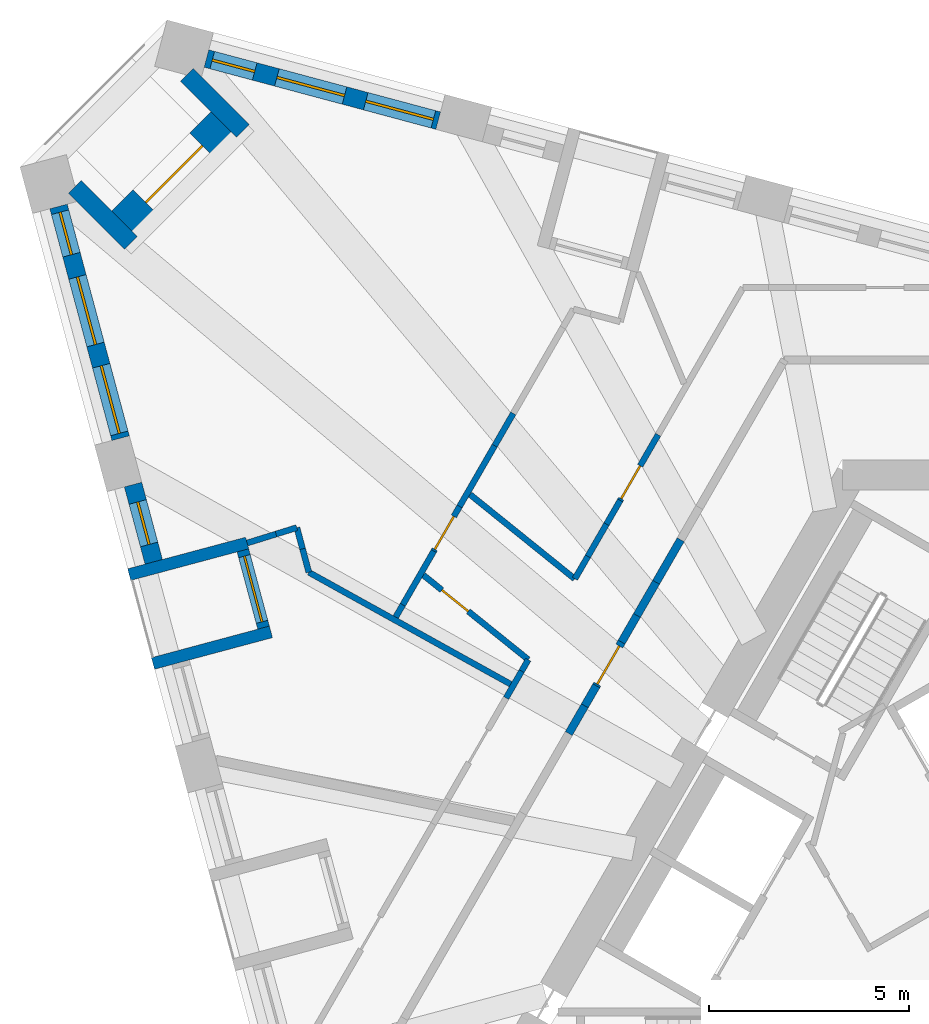
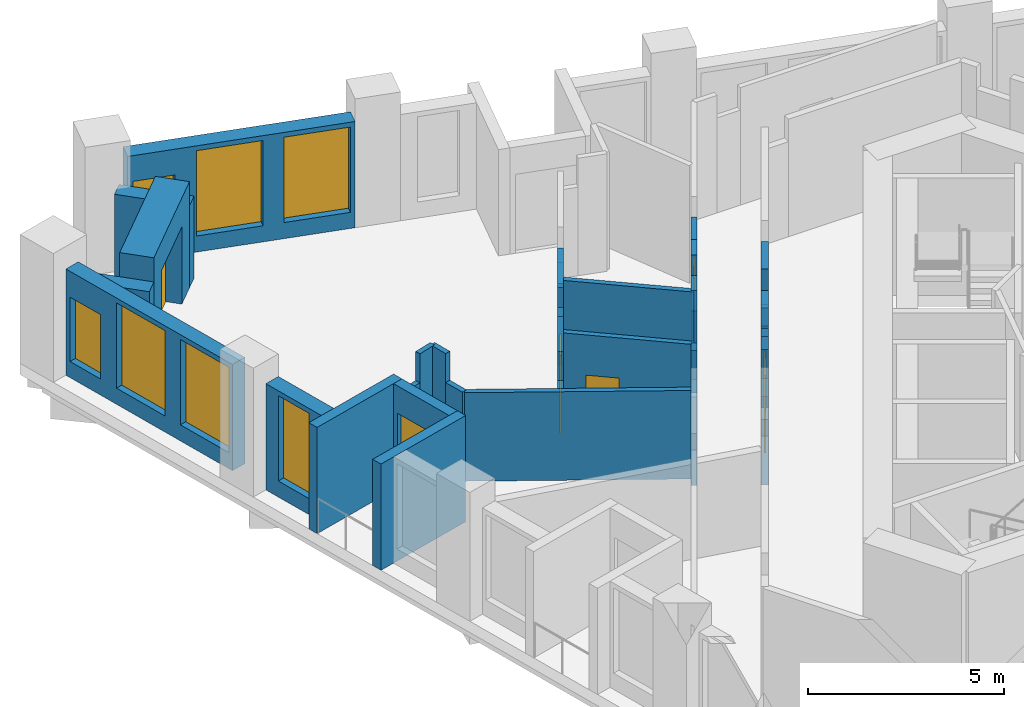
# One storey, part 6 of 13: 33 walls, 7 windows, 6 doors, 13 openings.
"""IFC4 building model written with IfcOpenShell, lengths in metres."""

from ifc_helpers import new_model, si_unit, direction, frame, frame_2d, origin, place, context, subcontext, project, spatial, polyline, rectangle, outline, extrude, material, layer, layer_set, type_object, element, fill, save


model = new_model("IFC4")

# Units and contexts
model_context = context("Model", 3, precision=1e-05, world=origin(), true_north=direction((0.0, 1.0)))
body_context = subcontext(model_context, "Body", "Model", "MODEL_VIEW")
ifc_project = project(units=[si_unit("LENGTHUNIT", "METRE"), si_unit("AREAUNIT", "SQUARE_METRE"), si_unit("VOLUMEUNIT", "CUBIC_METRE"), si_unit("PLANEANGLEUNIT", "RADIAN"), si_unit("MASSUNIT", "GRAM", prefix="KILO")], contexts=[model_context])

# Site, building, storey
site_placement = place(None, origin())
site = spatial("IfcSite", under=ifc_project, at=site_placement, CompositionType="ELEMENT")
building_placement = place(site_placement, origin())
building = spatial("IfcBuilding", under=site, at=building_placement, Name="Tramontana Tower", CompositionType="ELEMENT")
storey_placement = place(building_placement, frame((0.0, 0.0, 224.0)))
storey = spatial("IfcBuildingStorey", under=building, at=storey_placement, Name="L52", CompositionType="ELEMENT", Elevation=224.0)

# Walls
ifc_material_1 = material(Name="Blockwork", Category="masonry")
ifc_layer_1 = layer(ifc_material_1, 0.199951171875)
ifc_layer_set_1 = layer_set([ifc_layer_1], Name="ENTRY WALL 200")
wall_type_1 = type_object("IfcWallType", Name="ENTRY WALL 200", PredefinedType="SOLIDWALL", material=ifc_layer_set_1)
wall_1_placement = place(storey_placement, frame((-8.2783203125, 4.16162109375, 0.0), z_axis=(0.0, 0.0, 1.0), x_axis=(0.500109828528, 0.865961984968, 0.0)))
element("IfcWall", 1, at=wall_1_placement, inside=storey, type_object=wall_type_1, Name="Wall v52-ew4-5", PredefinedType="SOLIDWALL", context=body_context, shape_type="SweptSolid", body=[
    extrude(rectangle(XDim=0.800048828125, YDim=0.199951171875, at=frame_2d((0.39990234375, 0.0))), origin(), (0.0, 0.0, 1.0), 2.75),
])
wall_2_placement = place(storey_placement, frame((-7.878173828125, 4.8544921875, 0.0), z_axis=(0.0, 0.0, 1.0), x_axis=(0.499783563124, 0.866150327617, 0.0)))
element("IfcWall", 2, at=wall_2_placement, inside=storey, type_object=wall_type_1, Name="Wall v52-ew4-6", PredefinedType="SOLIDWALL", context=body_context, shape_type="SweptSolid", body=[
    extrude(rectangle(XDim=0.576416015625, YDim=0.199951171875, at=frame_2d((0.2880859375, 0.0))), origin(), (0.0, 0.0, 1.0), 3.64990234375),
])

# Wall, opening, door
wall_3_placement = place(storey_placement, frame((-7.590087890625, 5.353759765625, 0.0), z_axis=(0.0, 0.0, 1.0), x_axis=(0.50013570633, 0.86594703952, 0.0)))
wall_3 = element("IfcWall", 3, at=wall_3_placement, inside=storey, type_object=wall_type_1, Name="Wall v52-ew4-7", PredefinedType="SOLIDWALL", context=body_context, shape_type="SweptSolid", body=[
    extrude(outline(polyline([(0.0, 0.0), (1.261474609375, 0.0), (1.261474609375, 2.550048828125), (0.347412109375, 2.550048828125), (0.347412109375, 3.64990234375), (0.0, 3.64990234375), (0.0, 0.0)])), frame((0.0, 0.10009765625, 0.0), z_axis=(0.0, -1.0, 0.0), x_axis=(1.0, 0.0, 0.0)), (0.0, 0.0, 1.0), 0.199951171875),
])
opening_1_placement = place(wall_3_placement, frame((0.050048828125, 0.0, 0.0)))
opening_1 = element("IfcOpeningElement", 4, at=opening_1_placement, cuts=wall_3, Name="Opening B5C-17", PredefinedType="OPENING", context=body_context, shape_type="SweptSolid", body=[
    extrude(rectangle(XDim=1.10009765625, YDim=2.39990234375, at=frame_2d((0.550048828125, 1.199951171875))), frame((0.0, 0.10986328125, 0.0), z_axis=(0.0, -1.0, 0.0), x_axis=(1.0, 0.0, 0.0)), (0.0, 0.0, 1.0), 0.219970703125),
])
ifc_material_2 = material(Name="Painted timber", Category="wood")
door_type_1 = type_object("IfcDoorType", Name="DOOR ENTRY 1100", OperationType="SINGLE_SWING_LEFT", PredefinedType="DOOR", material=ifc_material_2)
door_1_placement = place(opening_1_placement, origin())
door_1 = element("IfcDoor", 5, at=door_1_placement, inside=storey, type_object=door_type_1, Name="Door B5C-17", OperationType="SINGLE_SWING_LEFT", OverallHeight=2.39990234375, OverallWidth=1.10009765625, PredefinedType="DOOR", context=body_context, shape_type="SweptSolid", body=[
    extrude(rectangle(XDim=1.10009765625, YDim=2.39990234375, at=frame_2d((0.550048828125, 1.199951171875))), frame((0.0, 0.02490234375, 0.0), z_axis=(0.0, -1.0, 0.0), x_axis=(1.0, 0.0, 0.0)), (0.0, 0.0, 1.0), 0.050048828125),
])
fill(opening_1, door_1)

# Walls
wall_4_placement = place(storey_placement, frame((-6.959228515625, 6.446044921875, 0.0), z_axis=(0.0, 0.0, 1.0), x_axis=(0.499997253739, 0.866026989333, 0.0)))
element("IfcWall", 6, at=wall_4_placement, inside=storey, type_object=wall_type_1, Name="Wall v52-ew4-8", PredefinedType="SOLIDWALL", context=body_context, shape_type="SweptSolid", body=[
    extrude(rectangle(XDim=0.76904296875, YDim=0.199951171875, at=frame_2d((0.384521484375, 0.0))), origin(), (0.0, 0.0, 1.0), 3.64990234375),
])
wall_5_placement = place(storey_placement, frame((-6.57470703125, 7.112060546875, 0.0), z_axis=(0.0, 0.0, 1.0), x_axis=(0.499869636591, 0.866100656052, 0.0)))
element("IfcWall", 7, at=wall_5_placement, inside=storey, type_object=wall_type_1, Name="Wall v52-ew4-9", PredefinedType="SOLIDWALL", context=body_context, shape_type="SweptSolid", body=[
    extrude(rectangle(XDim=0.957275390625, YDim=0.199951171875, at=frame_2d((0.478515625, 0.0))), origin(), (0.0, 0.0, 1.0), 2.550048828125),
])
wall_6_placement = place(storey_placement, frame((-6.09619140625, 7.941162109375, 0.0), z_axis=(0.0, 0.0, 1.0), x_axis=(0.500055461028, 0.865993380977, 0.0)))
element("IfcWall", 8, at=wall_6_placement, inside=storey, type_object=wall_type_1, Name="Wall v52-ew4-10", PredefinedType="SOLIDWALL", context=body_context, shape_type="SweptSolid", body=[
    extrude(rectangle(XDim=1.226806640625, YDim=0.199951171875, at=frame_2d((0.61328125, 0.0))), origin(), (0.0, 0.0, 1.0), 3.64990234375),
])

# Wall, openings, windows
ifc_material_3 = material(Name="Precast concrete 60 MPa", Category="concrete")
ifc_layer_2 = layer(ifc_material_3, 0.449951171875)
ifc_layer_set_2 = layer_set([ifc_layer_2], Name="Precast concrete 60 MPa, 450 mm")
wall_type_2 = type_object("IfcWallType", Name="EW1 Stone-faced precast wall 450", PredefinedType="SOLIDWALL", material=ifc_layer_set_2)
wall_7_placement = place(storey_placement, frame((-21.027099609375, 17.3310546875, 0.0), z_axis=(0.0, 0.0, 1.0), x_axis=(0.258831089404, -0.965922598948, 0.0)))
wall_7 = element("IfcWall", 9, at=wall_7_placement, inside=storey, type_object=wall_type_2, Name="External wall L52 face 0 bay 1", PredefinedType="SOLIDWALL", context=body_context, shape_type="SweptSolid", body=[
    extrude(rectangle(XDim=5.994384765625, YDim=0.449951171875, at=frame_2d((2.9970703125, 0.0))), origin(), (0.0, 0.0, 1.0), 3.300048828125),
])
opening_2_placement = place(wall_7_placement, frame((0.14892578125, 0.0, 0.5)))
opening_2 = element("IfcOpeningElement", 10, at=opening_2_placement, cuts=wall_7, Name="Opening N2L", PredefinedType="OPENING", context=body_context, shape_type="SweptSolid", body=[
    extrude(rectangle(XDim=1.10009765625, YDim=2.0, at=frame_2d((0.550048828125, 1.0))), frame((0.0, 0.23486328125, 0.0), z_axis=(0.0, -1.0, 0.0), x_axis=(1.0, 0.0, 0.0)), (0.0, 0.0, 1.0), 0.469970703125),
])
opening_3_placement = place(wall_7_placement, frame((1.822021484375, 0.0, 0.5)))
opening_3 = element("IfcOpeningElement", 11, at=opening_3_placement, cuts=wall_7, Name="Opening M2", PredefinedType="OPENING", context=body_context, shape_type="SweptSolid", body=[
    extrude(rectangle(XDim=1.75, YDim=2.64990234375, at=frame_2d((0.875, 1.324951171875))), frame((0.0, 0.23486328125, 0.0), z_axis=(0.0, -1.0, 0.0), x_axis=(1.0, 0.0, 0.0)), (0.0, 0.0, 1.0), 0.469970703125),
])
opening_4_placement = place(wall_7_placement, frame((4.1201171875, 0.0, 0.5)))
opening_4 = element("IfcOpeningElement", 12, at=opening_4_placement, cuts=wall_7, Name="Opening M2", PredefinedType="OPENING", context=body_context, shape_type="SweptSolid", body=[
    extrude(rectangle(XDim=1.75, YDim=2.64990234375, at=frame_2d((0.875, 1.324951171875))), frame((0.0, 0.23486328125, 0.0), z_axis=(0.0, -1.0, 0.0), x_axis=(1.0, 0.0, 0.0)), (0.0, 0.0, 1.0), 0.469970703125),
])
ifc_material_4 = material(Name="Aluminum frame, double glazing unit", Category="aluminium")
window_type_1 = type_object("IfcWindowType", Name="M2 Window 1.75 x 2.65", PartitioningType="SINGLE_PANEL", PredefinedType="WINDOW", material=ifc_material_4)
window_1_placement = place(opening_3_placement, origin())
window_1 = element("IfcWindow", 13, at=window_1_placement, inside=storey, type_object=window_type_1, Name="Window M2 L52 face 0 module 2", OverallHeight=2.64990234375, OverallWidth=1.75, PartitioningType="SINGLE_PANEL", PredefinedType="WINDOW", context=body_context, shape_type="SweptSolid", body=[
    extrude(rectangle(XDim=1.75, YDim=2.64990234375, at=frame_2d((0.875, 1.324951171875))), frame((0.0, 0.030029296875, 0.0), z_axis=(0.0, -1.0, 0.0), x_axis=(1.0, 0.0, 0.0)), (0.0, 0.0, 1.0), 0.06005859375),
])
fill(opening_3, window_1)
window_2_placement = place(opening_4_placement, origin())
window_2 = element("IfcWindow", 14, at=window_2_placement, inside=storey, type_object=window_type_1, Name="Window M2 L52 face 0 module 3", OverallHeight=2.64990234375, OverallWidth=1.75, PartitioningType="SINGLE_PANEL", PredefinedType="WINDOW", context=body_context, shape_type="SweptSolid", body=[
    extrude(rectangle(XDim=1.75, YDim=2.64990234375, at=frame_2d((0.875, 1.324951171875))), frame((0.0, 0.030029296875, 0.0), z_axis=(0.0, -1.0, 0.0), x_axis=(1.0, 0.0, 0.0)), (0.0, 0.0, 1.0), 0.06005859375),
])
fill(opening_4, window_2)
ifc_material_5 = material(Name="Aluminum frame, double glazing unit", Category="aluminium")
window_type_2 = type_object("IfcWindowType", Name="N2L Window 1.1 x 2", PartitioningType="SINGLE_PANEL", PredefinedType="WINDOW", material=ifc_material_5)
window_3_placement = place(opening_2_placement, origin())
window_3 = element("IfcWindow", 15, at=window_3_placement, inside=storey, type_object=window_type_2, Name="Window N2L L52 face 0 module 1", OverallHeight=2.0, OverallWidth=1.10009765625, PartitioningType="SINGLE_PANEL", PredefinedType="WINDOW", context=body_context, shape_type="SweptSolid", body=[
    extrude(rectangle(XDim=1.10009765625, YDim=2.0, at=frame_2d((0.550048828125, 1.0))), frame((0.0, 0.030029296875, 0.0), z_axis=(0.0, -1.0, 0.0), x_axis=(1.0, 0.0, 0.0)), (0.0, 0.0, 1.0), 0.06005859375),
])
fill(opening_2, window_3)

# Wall, opening, window
wall_8_placement = place(storey_placement, frame((-19.1650390625, 10.3818359375, 0.0), z_axis=(0.0, 0.0, 1.0), x_axis=(0.258803270362, -0.96593005298, 0.0)))
wall_8 = element("IfcWall", 16, at=wall_8_placement, inside=storey, type_object=wall_type_2, Name="External wall L52 face 0 bay 2", PredefinedType="SOLIDWALL", context=body_context, shape_type="SweptSolid", body=[
    extrude(rectangle(XDim=1.998046875, YDim=0.449951171875, at=frame_2d((0.9990234375, 0.0))), origin(), (0.0, 0.0, 1.0), 3.300048828125),
])
opening_5_placement = place(wall_8_placement, frame((0.448974609375, 0.0, 0.5)))
opening_5 = element("IfcOpeningElement", 17, at=opening_5_placement, cuts=wall_8, Name="Opening N2", PredefinedType="OPENING", context=body_context, shape_type="SweptSolid", body=[
    extrude(rectangle(XDim=1.10009765625, YDim=2.64990234375, at=frame_2d((0.550048828125, 1.324951171875))), frame((0.0, 0.23486328125, 0.0), z_axis=(0.0, -1.0, 0.0), x_axis=(1.0, 0.0, 0.0)), (0.0, 0.0, 1.0), 0.469970703125),
])
ifc_material_6 = material(Name="Aluminum frame, double glazing unit", Category="aluminium")
window_type_3 = type_object("IfcWindowType", Name="N2 Window 1.1 x 2.65", PartitioningType="SINGLE_PANEL", PredefinedType="WINDOW", material=ifc_material_6)
window_4_placement = place(opening_5_placement, origin())
window_4 = element("IfcWindow", 18, at=window_4_placement, inside=storey, type_object=window_type_3, Name="Window N2 L52 face 0 module 4", OverallHeight=2.64990234375, OverallWidth=1.10009765625, PartitioningType="SINGLE_PANEL", PredefinedType="WINDOW", context=body_context, shape_type="SweptSolid", body=[
    extrude(rectangle(XDim=1.10009765625, YDim=2.64990234375, at=frame_2d((0.550048828125, 1.324951171875))), frame((0.0, 0.030029296875, 0.0), z_axis=(0.0, -1.0, 0.0), x_axis=(1.0, 0.0, 0.0)), (0.0, 0.0, 1.0), 0.06005859375),
])
fill(opening_5, window_4)

# Wall, openings, windows
wall_9_placement = place(storey_placement, frame((-11.541015625, 19.4755859375, 0.0), z_axis=(0.0, 0.0, 1.0), x_axis=(-0.965922598948, 0.258831089404, 0.0)))
wall_9 = element("IfcWall", 19, at=wall_9_placement, inside=storey, type_object=wall_type_2, Name="External wall L52 face 2 bay 6", PredefinedType="SOLIDWALL", context=body_context, shape_type="SweptSolid", body=[
    extrude(rectangle(XDim=5.994384765625, YDim=0.449951171875, at=frame_2d((2.9970703125, 0.0))), origin(), (0.0, 0.0, 1.0), 3.300048828125),
])
opening_6_placement = place(wall_9_placement, frame((0.1240234375, 0.0, 0.5)))
opening_6 = element("IfcOpeningElement", 20, at=opening_6_placement, cuts=wall_9, Name="Opening M2", PredefinedType="OPENING", context=body_context, shape_type="SweptSolid", body=[
    extrude(rectangle(XDim=1.75, YDim=2.64990234375, at=frame_2d((0.875, 1.324951171875))), frame((0.0, 0.23486328125, 0.0), z_axis=(0.0, -1.0, 0.0), x_axis=(1.0, 0.0, 0.0)), (0.0, 0.0, 1.0), 0.469970703125),
])
opening_7_placement = place(wall_9_placement, frame((2.422119140625, 0.0, 0.5)))
opening_7 = element("IfcOpeningElement", 21, at=opening_7_placement, cuts=wall_9, Name="Opening M2", PredefinedType="OPENING", context=body_context, shape_type="SweptSolid", body=[
    extrude(rectangle(XDim=1.75, YDim=2.64990234375, at=frame_2d((0.875, 1.324951171875))), frame((0.0, 0.23486328125, 0.0), z_axis=(0.0, -1.0, 0.0), x_axis=(1.0, 0.0, 0.0)), (0.0, 0.0, 1.0), 0.469970703125),
])
opening_8_placement = place(wall_9_placement, frame((4.7451171875, 0.0, 0.5)))
opening_8 = element("IfcOpeningElement", 22, at=opening_8_placement, cuts=wall_9, Name="Opening N2L", PredefinedType="OPENING", context=body_context, shape_type="SweptSolid", body=[
    extrude(rectangle(XDim=1.10009765625, YDim=2.0, at=frame_2d((0.550048828125, 1.0))), frame((0.0, 0.23486328125, 0.0), z_axis=(0.0, -1.0, 0.0), x_axis=(1.0, 0.0, 0.0)), (0.0, 0.0, 1.0), 0.469970703125),
])
window_5_placement = place(opening_6_placement, origin())
window_5 = element("IfcWindow", 23, at=window_5_placement, inside=storey, type_object=window_type_1, Name="Window M2 L52 face 2 module 16", OverallHeight=2.64990234375, OverallWidth=1.75, PartitioningType="SINGLE_PANEL", PredefinedType="WINDOW", context=body_context, shape_type="SweptSolid", body=[
    extrude(rectangle(XDim=1.75, YDim=2.64990234375, at=frame_2d((0.875, 1.324951171875))), frame((0.0, 0.030029296875, 0.0), z_axis=(0.0, -1.0, 0.0), x_axis=(1.0, 0.0, 0.0)), (0.0, 0.0, 1.0), 0.06005859375),
])
fill(opening_6, window_5)
window_6_placement = place(opening_7_placement, origin())
window_6 = element("IfcWindow", 24, at=window_6_placement, inside=storey, type_object=window_type_1, Name="Window M2 L52 face 2 module 17", OverallHeight=2.64990234375, OverallWidth=1.75, PartitioningType="SINGLE_PANEL", PredefinedType="WINDOW", context=body_context, shape_type="SweptSolid", body=[
    extrude(rectangle(XDim=1.75, YDim=2.64990234375, at=frame_2d((0.875, 1.324951171875))), frame((0.0, 0.030029296875, 0.0), z_axis=(0.0, -1.0, 0.0), x_axis=(1.0, 0.0, 0.0)), (0.0, 0.0, 1.0), 0.06005859375),
])
fill(opening_7, window_6)
window_7_placement = place(opening_8_placement, origin())
window_7 = element("IfcWindow", 25, at=window_7_placement, inside=storey, type_object=window_type_2, Name="Window N2L L52 face 2 module 18", OverallHeight=2.0, OverallWidth=1.10009765625, PartitioningType="SINGLE_PANEL", PredefinedType="WINDOW", context=body_context, shape_type="SweptSolid", body=[
    extrude(rectangle(XDim=1.10009765625, YDim=2.0, at=frame_2d((0.550048828125, 1.0))), frame((0.0, 0.030029296875, 0.0), z_axis=(0.0, -1.0, 0.0), x_axis=(1.0, 0.0, 0.0)), (0.0, 0.0, 1.0), 0.06005859375),
])
fill(opening_8, window_7)

# Walls
for number, where, z_axis, x_axis, name in (
    (26, (-20.615234375, 17.822021484375, 0.0), (0.0, 0.0, 1.0), (0.70716845375, -0.707045103244, 0.0), "Corner loggia side wall L52 K50l"),
    (27, (-17.822021484375, 20.615234375, 0.0), (0.0, 0.0, 1.0), (0.707045103244, -0.70716845375, 0.0), "Corner loggia side wall L52 K50r"),
):
    element("IfcWall", number, at=place(storey_placement, frame(where, z_axis=z_axis, x_axis=x_axis)), inside=storey, type_object=wall_type_2, Name=name, PredefinedType="SOLIDWALL", context=body_context, shape_type="SweptSolid", body=[
        extrude(rectangle(XDim=1.979248046875, YDim=0.449951171875, at=frame_2d((0.98974609375, 0.0))), origin(), (0.0, 0.0, 1.0), 2.550048828125),
    ])

# Wall, opening, door
ifc_material_7 = material(Name="Precast concrete 60 MPa", Category="concrete")
ifc_layer_3 = layer(ifc_material_7, 0.89990234375)
ifc_layer_set_3 = layer_set([ifc_layer_3], Name="EW2 Stone-faced corner loggia wall 900")
wall_type_3 = type_object("IfcWallType", Name="EW2 Stone-faced corner loggia wall 900", PredefinedType="SOLIDWALL", material=ifc_layer_set_3)
wall_10_placement = place(storey_placement, frame((-19.374755859375, 16.89990234375, 0.0), z_axis=(0.0, 0.0, 1.0), x_axis=(0.707106781187, 0.707106781187, 0.0)))
wall_10 = element("IfcWall", 28, at=wall_10_placement, inside=storey, type_object=wall_type_3, Name="Corner loggia wall L52 K50", PredefinedType="SOLIDWALL", context=body_context, shape_type="SweptSolid", body=[
    extrude(rectangle(XDim=3.5, YDim=0.89990234375, at=frame_2d((1.75, 0.0))), origin(), (0.0, 0.0, 1.0), 3.300048828125),
])
opening_9_placement = place(wall_10_placement, frame((0.75, 0.0, 0.0)))
opening_9 = element("IfcOpeningElement", 29, at=opening_9_placement, cuts=wall_10, Name="Opening BD-50C", PredefinedType="OPENING", context=body_context, shape_type="SweptSolid", body=[
    extrude(rectangle(XDim=2.0, YDim=2.39990234375, at=frame_2d((1.0, 1.199951171875))), frame((0.0, 0.4599609375, 0.0), z_axis=(0.0, -1.0, 0.0), x_axis=(1.0, 0.0, 0.0)), (0.0, 0.0, 1.0), 0.919921875),
])
ifc_material_8 = material(Name="Aluminum frame, double glazing unit", Category="aluminium")
door_type_2 = type_object("IfcDoorType", Name="BC1 Sliding door 2 x 2.4", OperationType="SLIDING_TO_LEFT", PredefinedType="DOOR", material=ifc_material_8)
door_2_placement = place(opening_9_placement, origin())
door_2 = element("IfcDoor", 30, at=door_2_placement, inside=storey, type_object=door_type_2, Name="Corner loggia door L52 K50", OperationType="SLIDING_TO_LEFT", OverallHeight=2.39990234375, OverallWidth=2.0, PredefinedType="DOOR", context=body_context, shape_type="SweptSolid", body=[
    extrude(rectangle(XDim=2.0, YDim=2.39990234375, at=frame_2d((1.0, 1.199951171875))), frame((0.0, 0.02490234375, 0.0), z_axis=(0.0, -1.0, 0.0), x_axis=(1.0, 0.0, 0.0)), (0.0, 0.0, 1.0), 0.050048828125),
])
fill(opening_9, door_2)

ifc_material_9 = material(Name="Precast concrete 60 MPa", Category="concrete")
ifc_layer_4 = layer(ifc_material_9, 0.300048828125)
ifc_layer_set_4 = layer_set([ifc_layer_4], Name="LW1 Stone-faced loggia wall 300")
wall_type_4 = type_object("IfcWallType", Name="LW1 Stone-faced loggia wall 300", PredefinedType="SOLIDWALL", material=ifc_layer_set_4)
wall_11_placement = place(storey_placement, frame((-16.421142578125, 8.738037109375, 0.0), z_axis=(0.0, 0.0, 1.0), x_axis=(0.258803270362, -0.96593005298, 0.0)))
wall_11 = element("IfcWall", 31, at=wall_11_placement, inside=storey, type_object=wall_type_4, Name="Loggia wall L52 G5S0.4", PredefinedType="SOLIDWALL", context=body_context, shape_type="SweptSolid", body=[
    extrude(rectangle(XDim=1.998046875, YDim=0.300048828125, at=frame_2d((0.9990234375, 0.0))), origin(), (0.0, 0.0, 1.0), 3.300048828125),
])
opening_10_placement = place(wall_11_placement, frame((0.14892578125, 0.0, 0.0)))
opening_10 = element("IfcOpeningElement", 32, at=opening_10_placement, cuts=wall_11, Name="Opening BD-5S0-04", PredefinedType="OPENING", context=body_context, shape_type="SweptSolid", body=[
    extrude(rectangle(XDim=1.699951171875, YDim=2.449951171875, at=frame_2d((0.85009765625, 1.22509765625))), frame((0.0, 0.159912109375, 0.0), z_axis=(0.0, -1.0, 0.0), x_axis=(1.0, 0.0, 0.0)), (0.0, 0.0, 1.0), 0.320068359375),
])
ifc_material_10 = material(Name="Aluminum frame, double glazing unit", Category="aluminium")
door_type_3 = type_object("IfcDoorType", Name="BD2 Sliding door 1.7 x 2.45", OperationType="SLIDING_TO_LEFT", PredefinedType="DOOR", material=ifc_material_10)
door_3_placement = place(opening_10_placement, origin())
door_3 = element("IfcDoor", 33, at=door_3_placement, inside=storey, type_object=door_type_3, Name="Loggia door L52 G5S0.4", OperationType="SLIDING_TO_LEFT", OverallHeight=2.449951171875, OverallWidth=1.699951171875, PredefinedType="DOOR", context=body_context, shape_type="SweptSolid", body=[
    extrude(rectangle(XDim=1.699951171875, YDim=2.449951171875, at=frame_2d((0.85009765625, 1.22509765625))), frame((0.0, 0.02490234375, 0.0), z_axis=(0.0, -1.0, 0.0), x_axis=(1.0, 0.0, 0.0)), (0.0, 0.0, 1.0), 0.050048828125),
])
fill(opening_10, door_3)

# Walls
wall_12_placement = place(storey_placement, frame((-19.26123046875, 8.13232421875, 0.0), z_axis=(0.0, 0.0, 1.0), x_axis=(0.9659380486, 0.25877342651, 0.0)))
element("IfcWall", 34, at=wall_12_placement, inside=storey, type_object=wall_type_4, Name="Loggia return L52 G5S0.4a", PredefinedType="SOLIDWALL", context=body_context, shape_type="SweptSolid", body=[
    extrude(rectangle(XDim=3.05029296875, YDim=0.300048828125, at=frame_2d((1.525146484375, 0.0))), origin(), (0.0, 0.0, 1.0), 3.300048828125),
])
wall_13_placement = place(storey_placement, frame((-18.666259765625, 5.91259765625, 0.0), z_axis=(0.0, 0.0, 1.0), x_axis=(0.965932688119, 0.258793435045, 0.0)))
element("IfcWall", 35, at=wall_13_placement, inside=storey, type_object=wall_type_4, Name="Loggia return L52 G5S0.4b", PredefinedType="SOLIDWALL", context=body_context, shape_type="SweptSolid", body=[
    extrude(rectangle(XDim=3.050048828125, YDim=0.300048828125, at=frame_2d((1.52490234375, 0.0))), origin(), (0.0, 0.0, 1.0), 3.300048828125),
])
ifc_material_11 = material(Name="Gypsum board partition")
ifc_layer_5 = layer(ifc_material_11, 0.14990234375)
ifc_layer_set_5 = layer_set([ifc_layer_5], Name="PARTITION 150")
wall_type_5 = type_object("IfcWallType", Name="PARTITION 150", PredefinedType="PARTITIONING", material=ifc_layer_set_5)
wall_14_placement = place(storey_placement, frame((-9.843994140625, 5.0498046875, 0.0), z_axis=(0.0, 0.0, 1.0), x_axis=(0.500204125617, 0.865907519724, 0.0)))
element("IfcWall", 36, at=wall_14_placement, inside=storey, type_object=wall_type_5, Name="Wall v52-pw01-4", PredefinedType="PARTITIONING", context=body_context, shape_type="SweptSolid", body=[
    extrude(rectangle(XDim=0.775146484375, YDim=0.14990234375, at=frame_2d((0.3876953125, 0.0))), origin(), (0.0, 0.0, 1.0), 2.75),
])
wall_15_placement = place(storey_placement, frame((-9.456298828125, 5.720947265625, 0.0), z_axis=(0.0, 0.0, 1.0), x_axis=(0.499251428879, 0.866457160373, 0.0)))
element("IfcWall", 37, at=wall_15_placement, inside=storey, type_object=wall_type_5, Name="Wall v52-pw01-5", PredefinedType="PARTITIONING", context=body_context, shape_type="SweptSolid", body=[
    extrude(rectangle(XDim=0.3291015625, YDim=0.14990234375, at=frame_2d((0.16455078125, 0.0))), origin(), (0.0, 0.0, 1.0), 3.64990234375),
])
wall_16_placement = place(storey_placement, frame((-15.07421875, 9.30615234375, 0.0), z_axis=(0.0, 0.0, 1.0), x_axis=(-0.955213273279, -0.295918236261, 0.0)))
element("IfcWall", 38, at=wall_16_placement, inside=storey, type_object=wall_type_5, Name="Wall v52-pw02-0", PredefinedType="PARTITIONING", context=body_context, shape_type="SweptSolid", body=[
    extrude(rectangle(XDim=0.54296875, YDim=0.14990234375, at=frame_2d((0.271484375, 0.0))), origin(), (0.0, 0.0, 1.0), 3.64990234375),
])
wall_17_placement = place(storey_placement, frame((-15.5927734375, 9.1455078125, 0.0), z_axis=(0.0, 0.0, 1.0), x_axis=(-0.955155499666, -0.296104663013, 0.0)))
element("IfcWall", 39, at=wall_17_placement, inside=storey, type_object=wall_type_5, Name="Wall v52-pw02-1", PredefinedType="PARTITIONING", context=body_context, shape_type="SweptSolid", body=[
    extrude(rectangle(XDim=0.756103515625, YDim=0.14990234375, at=frame_2d((0.3779296875, 0.0))), origin(), (0.0, 0.0, 1.0), 2.75),
])
wall_18_placement = place(storey_placement, frame((-14.77294921875, 8.190185546875, 0.0), z_axis=(0.0, 0.0, 1.0), x_axis=(-0.258715941946, 0.965953446799, 0.0)))
element("IfcWall", 40, at=wall_18_placement, inside=storey, type_object=wall_type_5, Name="Wall v52-pw03-0", PredefinedType="PARTITIONING", context=body_context, shape_type="SweptSolid", body=[
    extrude(rectangle(XDim=0.605712890625, YDim=0.14990234375, at=frame_2d((0.302734375, 0.0))), origin(), (0.0, 0.0, 1.0), 2.75),
])
wall_19_placement = place(storey_placement, frame((-14.9296875, 8.775390625, 0.0), z_axis=(0.0, 0.0, 1.0), x_axis=(-0.258854856803, 0.965916229861, 0.0)))
element("IfcWall", 41, at=wall_19_placement, inside=storey, type_object=wall_type_5, Name="Wall v52-pw03-1", PredefinedType="PARTITIONING", context=body_context, shape_type="SweptSolid", body=[
    extrude(rectangle(XDim=0.548095703125, YDim=0.14990234375, at=frame_2d((0.27392578125, 0.0))), origin(), (0.0, 0.0, 1.0), 3.64990234375),
])
wall_20_placement = place(storey_placement, frame((-12.60205078125, 7.072509765625, 0.0), z_axis=(0.0, 0.0, 1.0), x_axis=(0.499562713201, 0.866277724277, 0.0)))
element("IfcWall", 42, at=wall_20_placement, inside=storey, type_object=wall_type_5, Name="Wall v52-pw04-0", PredefinedType="PARTITIONING", context=body_context, shape_type="SweptSolid", body=[
    extrude(rectangle(XDim=0.352783203125, YDim=0.14990234375, at=frame_2d((0.17626953125, 0.0))), origin(), (0.0, 0.0, 1.0), 2.75),
])
wall_21_placement = place(storey_placement, frame((-12.42578125, 7.378173828125, 0.0), z_axis=(0.0, 0.0, 1.0), x_axis=(0.500086022567, 0.865975732936, 0.0)))
element("IfcWall", 43, at=wall_21_placement, inside=storey, type_object=wall_type_5, Name="Wall v52-pw04-1", PredefinedType="PARTITIONING", context=body_context, shape_type="SweptSolid", body=[
    extrude(rectangle(XDim=1.550048828125, YDim=0.14990234375, at=frame_2d((0.77490234375, 0.0))), origin(), (0.0, 0.0, 1.0), 3.64990234375),
])

# Wall, opening, door
wall_22_placement = place(storey_placement, frame((-11.650634765625, 8.720458984375, 0.0), z_axis=(0.0, 0.0, 1.0), x_axis=(0.499990325971, 0.866030989016, 0.0)))
wall_22 = element("IfcWall", 44, at=wall_22_placement, inside=storey, type_object=wall_type_5, Name="Wall v52-pw04-2", PredefinedType="PARTITIONING", context=body_context, shape_type="SweptSolid", body=[
    extrude(outline(polyline([(0.0, 0.0), (1.28857421875, 0.0), (1.288818359375, 2.550048828125), (0.39990234375, 2.550048828125), (0.39990234375, 3.64990234375), (0.0, 3.64990234375), (0.0, 0.0)])), frame((0.0, 0.074951171875, 0.0), z_axis=(0.0, -1.0, 0.0), x_axis=(1.0, 0.0, 0.0)), (0.0, 0.0, 1.0), 0.14990234375),
])
opening_11_placement = place(wall_22_placement, frame((0.050048828125, 0.0, 0.0)))
opening_11 = element("IfcOpeningElement", 45, at=opening_11_placement, cuts=wall_22, Name="Opening B5C-03", PredefinedType="OPENING", context=body_context, shape_type="SweptSolid", body=[
    extrude(rectangle(XDim=0.949951171875, YDim=2.39990234375, at=frame_2d((0.47509765625, 1.199951171875))), frame((0.0, 0.0849609375, 0.0), z_axis=(0.0, -1.0, 0.0), x_axis=(1.0, 0.0, 0.0)), (0.0, 0.0, 1.0), 0.169921875),
])
ifc_material_12 = material(Name="Painted timber", Category="wood")
door_type_4 = type_object("IfcDoorType", Name="DOOR ROOM 950", OperationType="SINGLE_SWING_LEFT", PredefinedType="DOOR", material=ifc_material_12)
door_4_placement = place(opening_11_placement, origin())
door_4 = element("IfcDoor", 46, at=door_4_placement, inside=storey, type_object=door_type_4, Name="Door B5C-03", OperationType="SINGLE_SWING_LEFT", OverallHeight=2.39990234375, OverallWidth=0.949951171875, PredefinedType="DOOR", context=body_context, shape_type="SweptSolid", body=[
    extrude(rectangle(XDim=0.949951171875, YDim=2.39990234375, at=frame_2d((0.47509765625, 1.199951171875))), frame((0.0, 0.02490234375, 0.0), z_axis=(0.0, -1.0, 0.0), x_axis=(1.0, 0.0, 0.0)), (0.0, 0.0, 1.0), 0.050048828125),
])
fill(opening_11, door_4)

# Walls
wall_23_placement = place(storey_placement, frame((-11.00634765625, 9.83642578125, 0.0), z_axis=(0.0, 0.0, 1.0), x_axis=(0.500047902311, 0.865997745606, 0.0)))
element("IfcWall", 47, at=wall_23_placement, inside=storey, type_object=wall_type_5, Name="Wall v52-pw04-3", PredefinedType="PARTITIONING", context=body_context, shape_type="SweptSolid", body=[
    extrude(rectangle(XDim=1.753173828125, YDim=0.14990234375, at=frame_2d((0.87646484375, 0.0))), origin(), (0.0, 0.0, 1.0), 3.64990234375),
])
wall_24_placement = place(storey_placement, frame((-10.129638671875, 11.354736328125, 0.0), z_axis=(0.0, 0.0, 1.0), x_axis=(0.500032811619, 0.866006459158, 0.0)))
element("IfcWall", 48, at=wall_24_placement, inside=storey, type_object=wall_type_5, Name="Wall v52-pw04-4", PredefinedType="PARTITIONING", context=body_context, shape_type="SweptSolid", body=[
    extrude(rectangle(XDim=0.9306640625, YDim=0.14990234375, at=frame_2d((0.46533203125, 0.0))), origin(), (0.0, 0.0, 1.0), 2.550048828125),
])
wall_25_placement = place(storey_placement, frame((-10.7470703125, 10.13525390625, 0.0), z_axis=(0.0, 0.0, 1.0), x_axis=(0.778724340169, -0.627366242341, 0.0)))
element("IfcWall", 49, at=wall_25_placement, inside=storey, type_object=wall_type_5, Name="Wall v52-pw05", PredefinedType="PARTITIONING", context=body_context, shape_type="SweptSolid", body=[
    extrude(rectangle(XDim=3.361572265625, YDim=0.14990234375, at=frame_2d((1.6806640625, 0.0))), origin(), (0.0, 0.0, 1.0), 3.64990234375),
])
wall_26_placement = place(storey_placement, frame((-9.731201171875, 5.39501953125, 0.0), z_axis=(0.0, 0.0, 1.0), x_axis=(-0.874584439846, 0.484873238671, 0.0)))
element("IfcWall", 50, at=wall_26_placement, inside=storey, type_object=wall_type_5, Name="Wall v52-pw07-0", PredefinedType="PARTITIONING", context=body_context, shape_type="SweptSolid", body=[
    extrude(rectangle(XDim=5.7646484375, YDim=0.14990234375, at=frame_2d((2.88232421875, 0.0))), origin(), (0.0, 0.0, 1.0), 2.75),
])

# Wall, opening, door
wall_27_placement = place(storey_placement, frame((-9.29248046875, 6.009765625, 0.0), z_axis=(0.0, 0.0, 1.0), x_axis=(-0.778703656296, 0.627391915529, 0.0)))
wall_27 = element("IfcWall", 51, at=wall_27_placement, inside=storey, type_object=wall_type_5, Name="Wall v52-pw09", PredefinedType="PARTITIONING", context=body_context, shape_type="SweptSolid", body=[
    extrude(rectangle(XDim=3.362548828125, YDim=0.14990234375, at=frame_2d((1.68115234375, 0.0))), origin(), (0.0, 0.0, 1.0), 3.64990234375),
])
opening_12_placement = place(wall_27_placement, frame((1.919921875, 0.0, 0.0)))
opening_12 = element("IfcOpeningElement", 52, at=opening_12_placement, cuts=wall_27, Name="Opening B5C-02", PredefinedType="OPENING", context=body_context, shape_type="SweptSolid", body=[
    extrude(rectangle(XDim=0.85009765625, YDim=2.39990234375, at=frame_2d((0.425048828125, 1.199951171875))), frame((0.0, 0.0849609375, 0.0), z_axis=(0.0, -1.0, 0.0), x_axis=(1.0, 0.0, 0.0)), (0.0, 0.0, 1.0), 0.169921875),
])
ifc_material_13 = material(Name="Painted timber", Category="wood")
door_type_5 = type_object("IfcDoorType", Name="DOOR BATH 850", OperationType="SINGLE_SWING_LEFT", PredefinedType="DOOR", material=ifc_material_13)
door_5_placement = place(opening_12_placement, origin())
door_5 = element("IfcDoor", 53, at=door_5_placement, inside=storey, type_object=door_type_5, Name="Door B5C-02", OperationType="SINGLE_SWING_RIGHT", OverallHeight=2.39990234375, OverallWidth=0.85009765625, PredefinedType="DOOR", context=body_context, shape_type="SweptSolid", body=[
    extrude(rectangle(XDim=0.85009765625, YDim=2.39990234375, at=frame_2d((0.425048828125, 1.199951171875))), frame((0.0, 0.02490234375, 0.0), z_axis=(0.0, -1.0, 0.0), x_axis=(1.0, 0.0, 0.0)), (0.0, 0.0, 1.0), 0.050048828125),
])
fill(opening_12, door_5)

# Walls
wall_28_placement = place(storey_placement, frame((-8.125, 8.027099609375, 0.0), z_axis=(0.0, 0.0, 1.0), x_axis=(0.499907248082, 0.866078947507, 0.0)))
element("IfcWall", 54, at=wall_28_placement, inside=storey, type_object=wall_type_5, Name="Wall v52-pw11-0", PredefinedType="PARTITIONING", context=body_context, shape_type="SweptSolid", body=[
    extrude(rectangle(XDim=0.64794921875, YDim=0.14990234375, at=frame_2d((0.323974609375, 0.0))), origin(), (0.0, 0.0, 1.0), 3.64990234375),
])
wall_29_placement = place(storey_placement, frame((-7.801025390625, 8.58837890625, 0.0), z_axis=(0.0, 0.0, 1.0), x_axis=(0.500032811619, 0.866006459158, 0.0)))
element("IfcWall", 55, at=wall_29_placement, inside=storey, type_object=wall_type_5, Name="Wall v52-pw11-1", PredefinedType="PARTITIONING", context=body_context, shape_type="SweptSolid", body=[
    extrude(rectangle(XDim=0.9306640625, YDim=0.14990234375, at=frame_2d((0.46533203125, 0.0))), origin(), (0.0, 0.0, 1.0), 2.550048828125),
])
wall_30_placement = place(storey_placement, frame((-7.335693359375, 9.394287109375, 0.0), z_axis=(0.0, 0.0, 1.0), x_axis=(0.500093228334, 0.86597157169, 0.0)))
element("IfcWall", 56, at=wall_30_placement, inside=storey, type_object=wall_type_5, Name="Wall v52-pw11-2", PredefinedType="PARTITIONING", context=body_context, shape_type="SweptSolid", body=[
    extrude(rectangle(XDim=0.683837890625, YDim=0.14990234375, at=frame_2d((0.341796875, 0.0))), origin(), (0.0, 0.0, 1.0), 3.64990234375),
])

# Wall, opening, door
wall_31_placement = place(storey_placement, frame((-6.99365234375, 9.986572265625, 0.0), z_axis=(0.0, 0.0, 1.0), x_axis=(0.499975093369, 0.866039783157, 0.0)))
wall_31 = element("IfcWall", 57, at=wall_31_placement, inside=storey, type_object=wall_type_5, Name="Wall v52-pw11-3", PredefinedType="PARTITIONING", context=body_context, shape_type="SweptSolid", body=[
    extrude(outline(polyline([(0.0, 0.0), (1.89599609375, 0.0), (1.89599609375, 2.75), (0.993408203125, 2.75), (0.993408203125, 3.64990234375), (0.0, 3.64990234375), (0.0, 0.0)])), frame((0.0, 0.074951171875, 0.0), z_axis=(0.0, -1.0, 0.0), x_axis=(1.0, 0.0, 0.0)), (0.0, 0.0, 1.0), 0.14990234375),
])
opening_13_placement = place(wall_31_placement, frame((0.050048828125, 0.0, 0.0)))
opening_13 = element("IfcOpeningElement", 58, at=opening_13_placement, cuts=wall_31, Name="Opening B5C-01", PredefinedType="OPENING", context=body_context, shape_type="SweptSolid", body=[
    extrude(rectangle(XDim=0.949951171875, YDim=2.39990234375, at=frame_2d((0.47509765625, 1.199951171875))), frame((0.0, 0.0849609375, 0.0), z_axis=(0.0, -1.0, 0.0), x_axis=(1.0, 0.0, 0.0)), (0.0, 0.0, 1.0), 0.169921875),
])
door_6_placement = place(opening_13_placement, origin())
door_6 = element("IfcDoor", 59, at=door_6_placement, inside=storey, type_object=door_type_4, Name="Door B5C-01", OperationType="SINGLE_SWING_LEFT", OverallHeight=2.39990234375, OverallWidth=0.949951171875, PredefinedType="DOOR", context=body_context, shape_type="SweptSolid", body=[
    extrude(rectangle(XDim=0.949951171875, YDim=2.39990234375, at=frame_2d((0.47509765625, 1.199951171875))), frame((0.0, 0.02490234375, 0.0), z_axis=(0.0, -1.0, 0.0), x_axis=(1.0, 0.0, 0.0)), (0.0, 0.0, 1.0), 0.050048828125),
])
fill(opening_13, door_6)

save(model, "model.ifc")
